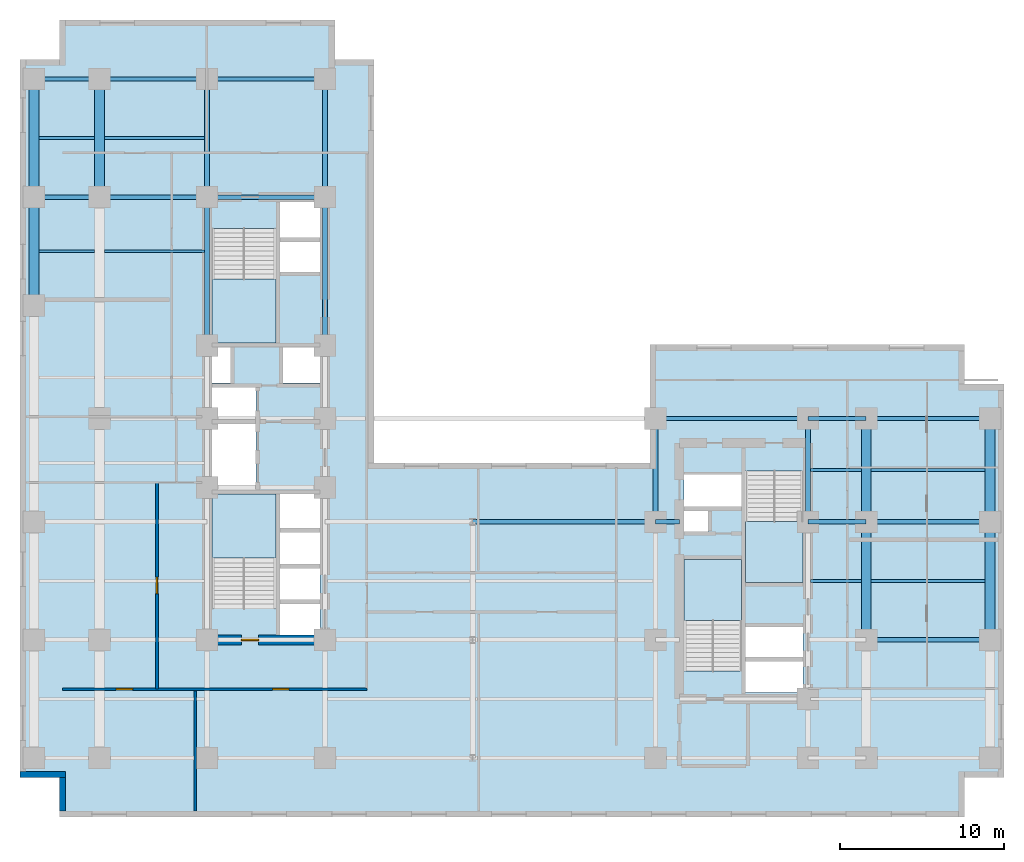
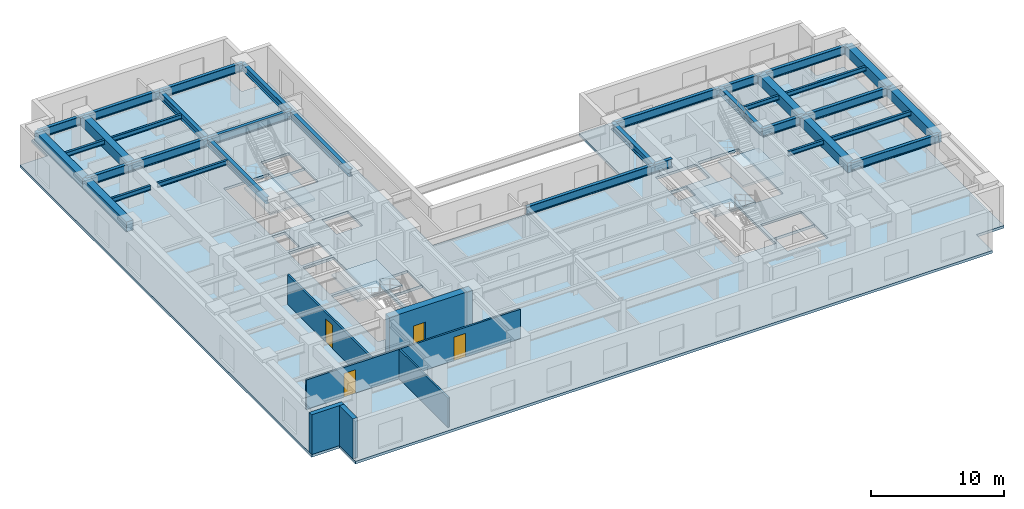
# One storey, part 2 of 9: 35 beams, 6 walls, 5 slabs, 4 doors, 4 openings, 4 elements without a shape of their own.
"""IFC4 building model written with IfcOpenShell, lengths in metres."""

from ifc_helpers import new_model, entity, si_unit, converted_unit, direction, frame, origin_with_axes, origin_2d_with_axis, place, context, subcontext, project, spatial, polyline, rectangle, i_section, outline, extrude, material, layer, layer_set, material_profile, profile_set, type_object, element, fill, aggregate, save


model = new_model("IFC4")

# Units and contexts
model_context = context("Model", 3, precision=1e-05, world=origin_with_axes(), true_north=direction((0.0, 1.0)))
body_context = subcontext(model_context, "Body", "Model", "MODEL_VIEW")
ifc_project = project(units=[si_unit("LENGTHUNIT", "METRE"), si_unit("AREAUNIT", "SQUARE_METRE"), si_unit("VOLUMEUNIT", "CUBIC_METRE"), converted_unit("PLANEANGLEUNIT", "DEGREE", entity("IfcPlaneAngleMeasure", 0.017453292519943295), si_unit("PLANEANGLEUNIT", "RADIAN"), dimensions=[0, 0, 0, 0, 0, 0, 0]), si_unit("MASSUNIT", "GRAM", prefix="KILO"), si_unit("THERMODYNAMICTEMPERATUREUNIT", "KELVIN")], contexts=[model_context])

# Site, building, storey
site_placement = place(None, origin_with_axes())
site = spatial("IfcSite", under=ifc_project, at=site_placement, CompositionType="ELEMENT")
building_placement = place(site_placement, origin_with_axes())
building = spatial("IfcBuilding", under=site, at=building_placement, Name="Varnlund Millrace Tower", CompositionType="ELEMENT")
storey_placement = place(building_placement, frame((0.0, 0.0, 36.6), z_axis=(0.0, 0.0, 1.0), x_axis=(1.0, 0.0, 0.0)))
storey = spatial("IfcBuildingStorey", under=building, at=storey_placement, Name="L08", CompositionType="ELEMENT", Elevation=36.6)

# Beams
ifc_material_1 = material(Name="Steel ASTM A992 Grade 50", Category="steel")
ifc_material_profile_1 = material_profile(ifc_material_1, i_section(OverallWidth=0.328, OverallDepth=0.628, WebThickness=0.0165, FlangeThickness=0.0277, FilletRadius=0.018, at=origin_2d_with_axis()), Name="Steel ASTM A992 Grade 50")
ifc_profile_set_1 = profile_set([ifc_material_profile_1], Name="Steel ASTM A992 Grade 50")
beam_type_1 = type_object("IfcBeamType", Name="Type-Girder-W24X146", PredefinedType="USERDEFINED", material=ifc_profile_set_1)
beam_1_placement = place(storey_placement, frame((11.4, 28.75, 3.346), z_axis=(0.0, 1.0, 0.0), x_axis=(-1.0, 0.0, 0.0)))
element("IfcBeam", 1, at=beam_1_placement, inside=storey, type_object=beam_type_1, Name="Type-Girder-W24X146", ObjectType="GIRDER", PredefinedType="USERDEFINED", context=body_context, shape_type="SweptSolid", body=[
    extrude(i_section(OverallWidth=0.328, OverallDepth=0.628, WebThickness=0.0165, FlangeThickness=0.0277, FilletRadius=0.018, at=origin_2d_with_axis()), origin_with_axes(), (0.0, 0.0, 1.0), 9.05),
])
beam_2_placement = place(storey_placement, frame((11.4, 37.8, 3.346), z_axis=(0.0, 1.0, 0.0), x_axis=(-1.0, 0.0, 0.0)))
element("IfcBeam", 2, at=beam_2_placement, inside=storey, type_object=beam_type_1, Name="Type-Girder-W24X146", ObjectType="GIRDER", PredefinedType="USERDEFINED", context=body_context, shape_type="SweptSolid", body=[
    extrude(i_section(OverallWidth=0.328, OverallDepth=0.628, WebThickness=0.0165, FlangeThickness=0.0277, FilletRadius=0.018, at=origin_2d_with_axis()), origin_with_axes(), (0.0, 0.0, 1.0), 7.2),
])
beam_3_placement = place(storey_placement, frame((18.6, 28.75, 3.346), z_axis=(0.0, 1.0, 0.0), x_axis=(-1.0, 0.0, 0.0)))
element("IfcBeam", 3, at=beam_3_placement, inside=storey, type_object=beam_type_1, Name="Type-Girder-W24X146", ObjectType="GIRDER", PredefinedType="USERDEFINED", context=body_context, shape_type="SweptSolid", body=[
    extrude(i_section(OverallWidth=0.328, OverallDepth=0.628, WebThickness=0.0165, FlangeThickness=0.0277, FilletRadius=0.018, at=origin_2d_with_axis()), origin_with_axes(), (0.0, 0.0, 1.0), 9.05),
])
beam_4_placement = place(storey_placement, frame((18.6, 37.8, 3.346), z_axis=(0.0, 1.0, 0.0), x_axis=(-1.0, 0.0, 0.0)))
element("IfcBeam", 4, at=beam_4_placement, inside=storey, type_object=beam_type_1, Name="Type-Girder-W24X146", ObjectType="GIRDER", PredefinedType="USERDEFINED", context=body_context, shape_type="SweptSolid", body=[
    extrude(i_section(OverallWidth=0.328, OverallDepth=0.628, WebThickness=0.0165, FlangeThickness=0.0277, FilletRadius=0.018, at=origin_2d_with_axis()), origin_with_axes(), (0.0, 0.0, 1.0), 7.2),
])
for number, where, z_axis, x_axis, name in (
    (5, (38.75, 18.0, 3.346), (0.0, 1.0, 0.0), (-1.0, 0.0, 0.0), "Type-Girder-W24X146"),
    (6, (48.05, 18.0, 3.346), (0.0, 1.0, 0.0), (-1.0, 0.0, 0.0), "Type-Girder-W24X146"),
):
    element("IfcBeam", number, at=place(storey_placement, frame(where, z_axis=z_axis, x_axis=x_axis)), inside=storey, type_object=beam_type_1, Name=name, ObjectType="GIRDER", PredefinedType="USERDEFINED", context=body_context, shape_type="SweptSolid", body=[
        extrude(i_section(OverallWidth=0.328, OverallDepth=0.628, WebThickness=0.0165, FlangeThickness=0.0277, FilletRadius=0.018, at=origin_2d_with_axis()), origin_with_axes(), (0.0, 0.0, 1.0), 6.3),
    ])
ifc_material_profile_2 = material_profile(ifc_material_1, i_section(OverallWidth=0.266, OverallDepth=0.779, WebThickness=0.0165, FlangeThickness=0.03, FilletRadius=0.02, at=origin_2d_with_axis()), Name="Steel ASTM A992 Grade 50")
ifc_profile_set_2 = profile_set([ifc_material_profile_2], Name="Steel ASTM A992 Grade 50")
beam_type_2 = type_object("IfcBeamType", Name="Type-Girder-W30X148", PredefinedType="USERDEFINED", material=ifc_profile_set_2)
beam_5_placement = place(storey_placement, frame((51.6, 10.8, 3.2705), z_axis=(1.0, 0.0, 0.0), x_axis=(0.0, 1.0, 0.0)))
element("IfcBeam", 7, at=beam_5_placement, inside=storey, type_object=beam_type_2, Name="Type-Girder-W30X148", ObjectType="GIRDER", PredefinedType="USERDEFINED", context=body_context, shape_type="SweptSolid", body=[
    extrude(i_section(OverallWidth=0.266, OverallDepth=0.779, WebThickness=0.0165, FlangeThickness=0.03, FilletRadius=0.02, at=origin_2d_with_axis()), origin_with_axes(), (0.0, 0.0, 1.0), 7.55),
])
beam_6_placement = place(storey_placement, frame((27.6, 18.0, 3.2705), z_axis=(1.0, 0.0, 0.0), x_axis=(0.0, 1.0, 0.0)))
element("IfcBeam", 8, at=beam_6_placement, inside=storey, type_object=beam_type_2, Name="Type-Girder-W30X148", ObjectType="GIRDER", PredefinedType="USERDEFINED", context=body_context, shape_type="SweptSolid", body=[
    extrude(i_section(OverallWidth=0.266, OverallDepth=0.779, WebThickness=0.0165, FlangeThickness=0.03, FilletRadius=0.02, at=origin_2d_with_axis()), origin_with_axes(), (0.0, 0.0, 1.0), 11.15),
])
beam_7_placement = place(storey_placement, frame((38.75, 18.0, 3.2705), z_axis=(1.0, 0.0, 0.0), x_axis=(0.0, 1.0, 0.0)))
element("IfcBeam", 9, at=beam_7_placement, inside=storey, type_object=beam_type_2, Name="Type-Girder-W30X148", ObjectType="GIRDER", PredefinedType="USERDEFINED", context=body_context, shape_type="SweptSolid", body=[
    extrude(i_section(OverallWidth=0.266, OverallDepth=0.779, WebThickness=0.0165, FlangeThickness=0.03, FilletRadius=0.02, at=origin_2d_with_axis()), origin_with_axes(), (0.0, 0.0, 1.0), 1.45),
])
beam_8_placement = place(storey_placement, frame((48.05, 18.0, 3.2705), z_axis=(1.0, 0.0, 0.0), x_axis=(0.0, 1.0, 0.0)))
element("IfcBeam", 10, at=beam_8_placement, inside=storey, type_object=beam_type_2, Name="Type-Girder-W30X148", ObjectType="GIRDER", PredefinedType="USERDEFINED", context=body_context, shape_type="SweptSolid", body=[
    extrude(i_section(OverallWidth=0.266, OverallDepth=0.779, WebThickness=0.0165, FlangeThickness=0.03, FilletRadius=0.02, at=origin_2d_with_axis()), origin_with_axes(), (0.0, 0.0, 1.0), 3.55),
])
beam_9_placement = place(storey_placement, frame((51.6, 18.0, 3.2705), z_axis=(1.0, 0.0, 0.0), x_axis=(0.0, 1.0, 0.0)))
element("IfcBeam", 11, at=beam_9_placement, inside=storey, type_object=beam_type_2, Name="Type-Girder-W30X148", ObjectType="GIRDER", PredefinedType="USERDEFINED", context=body_context, shape_type="SweptSolid", body=[
    extrude(i_section(OverallWidth=0.266, OverallDepth=0.779, WebThickness=0.0165, FlangeThickness=0.03, FilletRadius=0.02, at=origin_2d_with_axis()), origin_with_axes(), (0.0, 0.0, 1.0), 7.55),
])
beam_10_placement = place(storey_placement, frame((38.75, 24.3, 3.2705), z_axis=(1.0, 0.0, 0.0), x_axis=(0.0, 1.0, 0.0)))
element("IfcBeam", 12, at=beam_10_placement, inside=storey, type_object=beam_type_2, Name="Type-Girder-W30X148", ObjectType="GIRDER", PredefinedType="USERDEFINED", context=body_context, shape_type="SweptSolid", body=[
    extrude(i_section(OverallWidth=0.266, OverallDepth=0.779, WebThickness=0.0165, FlangeThickness=0.03, FilletRadius=0.02, at=origin_2d_with_axis()), origin_with_axes(), (0.0, 0.0, 1.0), 9.3),
])
beam_11_placement = place(storey_placement, frame((48.05, 24.3, 3.2705), z_axis=(1.0, 0.0, 0.0), x_axis=(0.0, 1.0, 0.0)))
element("IfcBeam", 13, at=beam_11_placement, inside=storey, type_object=beam_type_2, Name="Type-Girder-W30X148", ObjectType="GIRDER", PredefinedType="USERDEFINED", context=body_context, shape_type="SweptSolid", body=[
    extrude(i_section(OverallWidth=0.266, OverallDepth=0.779, WebThickness=0.0165, FlangeThickness=0.03, FilletRadius=0.02, at=origin_2d_with_axis()), origin_with_axes(), (0.0, 0.0, 1.0), 3.55),
])
beam_12_placement = place(storey_placement, frame((51.6, 24.3, 3.2705), z_axis=(1.0, 0.0, 0.0), x_axis=(0.0, 1.0, 0.0)))
element("IfcBeam", 14, at=beam_12_placement, inside=storey, type_object=beam_type_2, Name="Type-Girder-W30X148", ObjectType="GIRDER", PredefinedType="USERDEFINED", context=body_context, shape_type="SweptSolid", body=[
    extrude(i_section(OverallWidth=0.266, OverallDepth=0.779, WebThickness=0.0165, FlangeThickness=0.03, FilletRadius=0.02, at=origin_2d_with_axis()), origin_with_axes(), (0.0, 0.0, 1.0), 7.55),
])
beam_13_placement = place(storey_placement, frame((0.85, 37.8, 3.2705), z_axis=(1.0, 0.0, 0.0), x_axis=(0.0, 1.0, 0.0)))
element("IfcBeam", 15, at=beam_13_placement, inside=storey, type_object=beam_type_2, Name="Type-Girder-W30X148", ObjectType="GIRDER", PredefinedType="USERDEFINED", context=body_context, shape_type="SweptSolid", body=[
    extrude(i_section(OverallWidth=0.266, OverallDepth=0.779, WebThickness=0.0165, FlangeThickness=0.03, FilletRadius=0.02, at=origin_2d_with_axis()), origin_with_axes(), (0.0, 0.0, 1.0), 4.0),
])
beam_14_placement = place(storey_placement, frame((4.85, 37.8, 3.2705), z_axis=(1.0, 0.0, 0.0), x_axis=(0.0, 1.0, 0.0)))
element("IfcBeam", 16, at=beam_14_placement, inside=storey, type_object=beam_type_2, Name="Type-Girder-W30X148", ObjectType="GIRDER", PredefinedType="USERDEFINED", context=body_context, shape_type="SweptSolid", body=[
    extrude(i_section(OverallWidth=0.266, OverallDepth=0.779, WebThickness=0.0165, FlangeThickness=0.03, FilletRadius=0.02, at=origin_2d_with_axis()), origin_with_axes(), (0.0, 0.0, 1.0), 6.55),
])
beam_15_placement = place(storey_placement, frame((11.4, 37.8, 3.2705), z_axis=(1.0, 0.0, 0.0), x_axis=(0.0, 1.0, 0.0)))
element("IfcBeam", 17, at=beam_15_placement, inside=storey, type_object=beam_type_2, Name="Type-Girder-W30X148", ObjectType="GIRDER", PredefinedType="USERDEFINED", context=body_context, shape_type="SweptSolid", body=[
    extrude(i_section(OverallWidth=0.266, OverallDepth=0.779, WebThickness=0.0165, FlangeThickness=0.03, FilletRadius=0.02, at=origin_2d_with_axis()), origin_with_axes(), (0.0, 0.0, 1.0), 7.2),
])
beam_16_placement = place(storey_placement, frame((0.85, 45.0, 3.2705), z_axis=(1.0, 0.0, 0.0), x_axis=(0.0, 1.0, 0.0)))
element("IfcBeam", 18, at=beam_16_placement, inside=storey, type_object=beam_type_2, Name="Type-Girder-W30X148", ObjectType="GIRDER", PredefinedType="USERDEFINED", context=body_context, shape_type="SweptSolid", body=[
    extrude(i_section(OverallWidth=0.266, OverallDepth=0.779, WebThickness=0.0165, FlangeThickness=0.03, FilletRadius=0.02, at=origin_2d_with_axis()), origin_with_axes(), (0.0, 0.0, 1.0), 4.0),
])
beam_17_placement = place(storey_placement, frame((4.85, 45.0, 3.2705), z_axis=(1.0, 0.0, 0.0), x_axis=(0.0, 1.0, 0.0)))
element("IfcBeam", 19, at=beam_17_placement, inside=storey, type_object=beam_type_2, Name="Type-Girder-W30X148", ObjectType="GIRDER", PredefinedType="USERDEFINED", context=body_context, shape_type="SweptSolid", body=[
    extrude(i_section(OverallWidth=0.266, OverallDepth=0.779, WebThickness=0.0165, FlangeThickness=0.03, FilletRadius=0.02, at=origin_2d_with_axis()), origin_with_axes(), (0.0, 0.0, 1.0), 6.55),
])
beam_18_placement = place(storey_placement, frame((11.4, 45.0, 3.2705), z_axis=(1.0, 0.0, 0.0), x_axis=(0.0, 1.0, 0.0)))
element("IfcBeam", 20, at=beam_18_placement, inside=storey, type_object=beam_type_2, Name="Type-Girder-W30X148", ObjectType="GIRDER", PredefinedType="USERDEFINED", context=body_context, shape_type="SweptSolid", body=[
    extrude(i_section(OverallWidth=0.266, OverallDepth=0.779, WebThickness=0.0165, FlangeThickness=0.03, FilletRadius=0.02, at=origin_2d_with_axis()), origin_with_axes(), (0.0, 0.0, 1.0), 7.2),
])
ifc_material_profile_3 = material_profile(ifc_material_1, i_section(OverallWidth=0.181, OverallDepth=0.417, WebThickness=0.0109, FlangeThickness=0.0182, FilletRadius=0.013, at=origin_2d_with_axis()), Name="Steel ASTM A992 Grade 50")
ifc_profile_set_3 = profile_set([ifc_material_profile_3], Name="Steel ASTM A992 Grade 50")
beam_type_3 = type_object("IfcBeamType", Name="Type-Joist-W16X57", PredefinedType="JOIST", material=ifc_profile_set_3)
for number, where, z_axis, x_axis, name in (
    (21, (1.15, 34.5, 3.4515), (1.0, 0.0, 0.0), (0.0, 1.0, 0.0), "Type-Joist-W16X57"),
    (22, (1.15, 41.4, 3.4515), (1.0, 0.0, 0.0), (0.0, 1.0, 0.0), "Type-Joist-W16X57"),
):
    element("IfcBeam", number, at=place(storey_placement, frame(where, z_axis=z_axis, x_axis=x_axis)), inside=storey, type_object=beam_type_3, Name=name, PredefinedType="JOIST", context=body_context, shape_type="SweptSolid", body=[
        extrude(i_section(OverallWidth=0.181, OverallDepth=0.417, WebThickness=0.0109, FlangeThickness=0.0182, FilletRadius=0.013, at=origin_2d_with_axis()), origin_with_axes(), (0.0, 0.0, 1.0), 3.4),
    ])
for number, where, z_axis, x_axis, name in (
    (23, (5.15, 34.5, 3.4515), (1.0, 0.0, 0.0), (0.0, 1.0, 0.0), "Type-Joist-W16X57"),
    (24, (5.15, 41.4, 3.4515), (1.0, 0.0, 0.0), (0.0, 1.0, 0.0), "Type-Joist-W16X57"),
):
    element("IfcBeam", number, at=place(storey_placement, frame(where, z_axis=z_axis, x_axis=x_axis)), inside=storey, type_object=beam_type_3, Name=name, PredefinedType="JOIST", context=body_context, shape_type="SweptSolid", body=[
        extrude(i_section(OverallWidth=0.181, OverallDepth=0.417, WebThickness=0.0109, FlangeThickness=0.0182, FilletRadius=0.013, at=origin_2d_with_axis()), origin_with_axes(), (0.0, 0.0, 1.0), 6.086),
    ])
for number, where, z_axis, x_axis, name in (
    (25, (48.214, 14.4, 3.4515), (1.0, 0.0, 0.0), (0.0, 1.0, 0.0), "Type-Joist-W16X57"),
    (26, (48.214, 21.15, 3.4515), (1.0, 0.0, 0.0), (0.0, 1.0, 0.0), "Type-Joist-W16X57"),
):
    element("IfcBeam", number, at=place(storey_placement, frame(where, z_axis=z_axis, x_axis=x_axis)), inside=storey, type_object=beam_type_3, Name=name, PredefinedType="JOIST", context=body_context, shape_type="SweptSolid", body=[
        extrude(i_section(OverallWidth=0.181, OverallDepth=0.417, WebThickness=0.0109, FlangeThickness=0.0182, FilletRadius=0.013, at=origin_2d_with_axis()), origin_with_axes(), (0.0, 0.0, 1.0), 3.086),
    ])
for number, where, z_axis, x_axis, name in (
    (27, (51.9, 14.4, 3.4515), (1.0, 0.0, 0.0), (0.0, 1.0, 0.0), "Type-Joist-W16X57"),
    (28, (51.9, 21.15, 3.4515), (1.0, 0.0, 0.0), (0.0, 1.0, 0.0), "Type-Joist-W16X57"),
):
    element("IfcBeam", number, at=place(storey_placement, frame(where, z_axis=z_axis, x_axis=x_axis)), inside=storey, type_object=beam_type_3, Name=name, PredefinedType="JOIST", context=body_context, shape_type="SweptSolid", body=[
        extrude(i_section(OverallWidth=0.181, OverallDepth=0.417, WebThickness=0.0109, FlangeThickness=0.0182, FilletRadius=0.013, at=origin_2d_with_axis()), origin_with_axes(), (0.0, 0.0, 1.0), 6.95),
    ])
ifc_material_2 = material(Name="Concrete C70/85", Category="concrete")
ifc_material_profile_4 = material_profile(ifc_material_2, rectangle(XDim=0.6, YDim=0.9, at=origin_2d_with_axis()), Name="Concrete C70/85")
ifc_profile_set_4 = profile_set([ifc_material_profile_4], Name="Concrete C70/85")
beam_type_4 = type_object("IfcBeamType", Name="Type-Spandrel-RC600X900", PredefinedType="SPANDREL", material=ifc_profile_set_4)
beam_19_placement = place(storey_placement, frame((0.85, 31.2, 3.21), z_axis=(0.0, 1.0, 0.0), x_axis=(-1.0, 0.0, 0.0)))
element("IfcBeam", 29, at=beam_19_placement, inside=storey, type_object=beam_type_4, Name="Type-Spandrel-RC600X900", PredefinedType="SPANDREL", context=body_context, shape_type="SweptSolid", body=[
    extrude(rectangle(XDim=0.6, YDim=0.9, at=origin_2d_with_axis()), origin_with_axes(), (0.0, 0.0, 1.0), 6.6),
])
for number, where, z_axis, x_axis, name in (
    (30, (0.85, 37.8, 3.21), (0.0, 1.0, 0.0), (-1.0, 0.0, 0.0), "Type-Spandrel-RC600X900"),
    (31, (4.85, 37.8, 3.21), (0.0, 1.0, 0.0), (-1.0, 0.0, 0.0), "Type-Spandrel-RC600X900"),
    (32, (51.6, 10.8, 3.21), (0.0, 1.0, 0.0), (-1.0, 0.0, 0.0), "Type-Spandrel-RC600X900"),
):
    element("IfcBeam", number, at=place(storey_placement, frame(where, z_axis=z_axis, x_axis=x_axis)), inside=storey, type_object=beam_type_4, Name=name, PredefinedType="SPANDREL", context=body_context, shape_type="SweptSolid", body=[
        extrude(rectangle(XDim=0.6, YDim=0.9, at=origin_2d_with_axis()), origin_with_axes(), (0.0, 0.0, 1.0), 7.2),
    ])
beam_20_placement = place(storey_placement, frame((51.6, 18.0, 3.21), z_axis=(0.0, 1.0, 0.0), x_axis=(-1.0, 0.0, 0.0)))
element("IfcBeam", 33, at=beam_20_placement, inside=storey, type_object=beam_type_4, Name="Type-Spandrel-RC600X900", PredefinedType="SPANDREL", context=body_context, shape_type="SweptSolid", body=[
    extrude(rectangle(XDim=0.6, YDim=0.9, at=origin_2d_with_axis()), origin_with_axes(), (0.0, 0.0, 1.0), 6.3),
])
beam_21_placement = place(storey_placement, frame((59.15, 10.8, 3.21), z_axis=(0.0, 1.0, 0.0), x_axis=(-1.0, 0.0, 0.0)))
element("IfcBeam", 34, at=beam_21_placement, inside=storey, type_object=beam_type_4, Name="Type-Spandrel-RC600X900", PredefinedType="SPANDREL", context=body_context, shape_type="SweptSolid", body=[
    extrude(rectangle(XDim=0.6, YDim=0.9, at=origin_2d_with_axis()), origin_with_axes(), (0.0, 0.0, 1.0), 7.2),
])
beam_22_placement = place(storey_placement, frame((59.15, 18.0, 3.21), z_axis=(0.0, 1.0, 0.0), x_axis=(-1.0, 0.0, 0.0)))
element("IfcBeam", 35, at=beam_22_placement, inside=storey, type_object=beam_type_4, Name="Type-Spandrel-RC600X900", PredefinedType="SPANDREL", context=body_context, shape_type="SweptSolid", body=[
    extrude(rectangle(XDim=0.6, YDim=0.9, at=origin_2d_with_axis()), origin_with_axes(), (0.0, 0.0, 1.0), 6.3),
])

# Slab
ifc_material_3 = material(Name="Concrete C60/75", Category="concrete")
ifc_layer_1 = layer(ifc_material_3, 0.24, Name="Concrete C60/75")
ifc_layer_set_1 = layer_set([ifc_layer_1], Name="Concrete C60/75")
slab_type_1 = type_object("IfcSlabType", Name="Type-Deck-Plate-Typical-240", PredefinedType="FLOOR", material=ifc_layer_set_1)
slab_1_placement = place(storey_placement, frame((0.0, 0.0, -0.24), z_axis=(0.0, 0.0, 1.0), x_axis=(1.0, 0.0, 0.0)))
element("IfcSlab", 36, at=slab_1_placement, inside=storey, type_object=slab_type_1, Name="Type-Deck-Plate-Typical-240", PredefinedType="FLOOR", context=body_context, shape_type="SweptSolid", body=[
    extrude(outline(polyline([(21.6, 21.6), (21.6, 46.2), (19.2, 46.2), (19.2, 48.6), (2.4, 48.6), (2.4, 46.2), (0.0, 46.2), (0.0, 2.4), (2.4, 2.4), (2.4, 0.0), (57.6, 0.0), (57.6, 2.4), (60.0, 2.4), (60.0, 26.4), (57.6, 26.4), (57.6, 28.8), (38.4, 28.8), (38.4, 21.6), (21.6, 21.6)]), holes=[polyline([(18.3, 11.1), (15.84, 11.1), (15.84, 13.1), (18.3, 13.1), (18.3, 11.1)]), polyline([(18.3, 13.16), (15.84, 13.16), (15.84, 15.24), (18.3, 15.24), (18.3, 13.16)]), polyline([(15.6, 12.715), (11.7, 12.715), (11.7, 19.7), (15.6, 19.7), (15.6, 12.715)]), polyline([(18.3, 15.34), (15.84, 15.34), (15.84, 17.46), (18.3, 17.46), (18.3, 15.34)]), polyline([(18.3, 17.52), (15.84, 17.52), (15.84, 19.7), (18.3, 19.7), (18.3, 17.52)]), polyline([(14.38, 23.98), (14.38, 19.94), (11.7, 19.94), (11.7, 23.98), (14.38, 23.98)]), polyline([(11.7, 24.24), (11.7, 26.2), (14.38, 26.2), (14.38, 24.24), (11.7, 24.24)]), polyline([(11.7, 26.46), (11.7, 28.65), (12.84, 28.65), (12.84, 26.46), (11.7, 26.46)]), polyline([(15.6, 28.9), (11.7, 28.9), (11.7, 35.885), (15.6, 35.885), (15.6, 28.9)]), polyline([(47.75, 7.6), (44.25, 7.6), (44.25, 9.6), (47.75, 9.6), (47.75, 7.6)]), polyline([(47.75, 9.66), (44.25, 9.66), (44.25, 11.68), (47.75, 11.68), (47.75, 9.66)]), polyline([(40.5, 8.915), (40.5, 15.7), (44.0, 15.7), (44.0, 8.915), (40.5, 8.915)]), polyline([(44.25, 14.3), (44.25, 21.085), (47.75, 21.085), (47.75, 14.3), (44.25, 14.3)]), polyline([(41.95, 17.42), (40.5, 17.42), (40.5, 18.72), (41.95, 18.72), (41.95, 17.42)]), polyline([(44.0, 18.88), (40.5, 18.88), (40.5, 20.94), (44.0, 20.94), (44.0, 18.88)]), polyline([(18.3, 26.46), (16.04, 26.46), (16.04, 28.65), (18.3, 28.65), (18.3, 26.46)]), polyline([(15.84, 33.12), (15.84, 35.18), (18.3, 35.18), (18.3, 33.12), (15.84, 33.12)]), polyline([(15.84, 35.22), (15.84, 37.5), (18.3, 37.5), (18.3, 35.22), (15.84, 35.22)])]), origin_with_axes(), (0.0, 0.0, 1.0), 0.24),
])

# Stair, slab
ifc_material_4 = material(Name="Concrete C50/60", Category="concrete")
stair_type_1 = type_object("IfcStairType", Name="Type-Stair-Dogleg-185-390", PredefinedType="HALF_TURN_STAIR", material=ifc_material_4)
stair_1_placement = place(storey_placement, origin_with_axes())
stair_1 = element("IfcStair", 37, at=stair_1_placement, inside=storey, type_object=stair_type_1, Name="Type-Stair-Dogleg-185-390", PredefinedType="HALF_TURN_STAIR")
ifc_layer_2 = layer(ifc_material_4, 0.2, Name="Concrete C50/60")
ifc_layer_set_2 = layer_set([ifc_layer_2], Name="Concrete C50/60")
slab_type_2 = type_object("IfcSlabType", Name="Type-StairLanding-200", PredefinedType="LANDING", material=ifc_layer_set_2)
slab_2_placement = place(storey_placement, frame((0.0, 0.0, 1.75), z_axis=(0.0, 0.0, 1.0), x_axis=(1.0, 0.0, 0.0)))
slab_2 = element("IfcSlab", 38, at=slab_2_placement, type_object=slab_type_2, Name="ST-A1 landing 1", PredefinedType="LANDING", context=body_context, shape_type="SweptSolid", body=[
    extrude(outline(polyline([(15.6, 15.78), (15.6, 19.7), (11.7, 19.7), (11.7, 15.78), (15.6, 15.78)])), origin_with_axes(), (0.0, 0.0, 1.0), 0.2),
])
aggregate(stair_1, [slab_2])

stair_2_placement = place(storey_placement, origin_with_axes())
stair_2 = element("IfcStair", 39, at=stair_2_placement, inside=storey, type_object=stair_type_1, Name="Type-Stair-Dogleg-185-390", PredefinedType="HALF_TURN_STAIR")
slab_3_placement = place(storey_placement, frame((0.0, 0.0, 1.75), z_axis=(0.0, 0.0, 1.0), x_axis=(1.0, 0.0, 0.0)))
slab_3 = element("IfcSlab", 40, at=slab_3_placement, type_object=slab_type_2, Name="ST-A2 landing 1", PredefinedType="LANDING", context=body_context, shape_type="SweptSolid", body=[
    extrude(outline(polyline([(11.7, 32.82), (11.7, 28.9), (15.6, 28.9), (15.6, 32.82), (11.7, 32.82)])), origin_with_axes(), (0.0, 0.0, 1.0), 0.2),
])
aggregate(stair_2, [slab_3])

stair_type_2 = type_object("IfcStairType", Name="Type-Stair-Dogleg-165-390", PredefinedType="HALF_TURN_STAIR", material=ifc_material_4)
stair_3_placement = place(storey_placement, origin_with_axes())
stair_3 = element("IfcStair", 41, at=stair_3_placement, inside=storey, type_object=stair_type_2, Name="Type-Stair-Dogleg-165-390", PredefinedType="HALF_TURN_STAIR")
slab_4_placement = place(storey_placement, frame((0.0, 0.0, 1.75), z_axis=(0.0, 0.0, 1.0), x_axis=(1.0, 0.0, 0.0)))
slab_4 = element("IfcSlab", 42, at=slab_4_placement, type_object=slab_type_2, Name="ST-B1 landing 1", PredefinedType="LANDING", context=body_context, shape_type="SweptSolid", body=[
    extrude(outline(polyline([(44.0, 11.98), (44.0, 15.7), (40.5, 15.7), (40.5, 11.98), (44.0, 11.98)])), origin_with_axes(), (0.0, 0.0, 1.0), 0.2),
])
aggregate(stair_3, [slab_4])

stair_4_placement = place(storey_placement, origin_with_axes())
stair_4 = element("IfcStair", 43, at=stair_4_placement, inside=storey, type_object=stair_type_2, Name="Type-Stair-Dogleg-165-390", PredefinedType="HALF_TURN_STAIR")
slab_5_placement = place(storey_placement, frame((0.0, 0.0, 1.75), z_axis=(0.0, 0.0, 1.0), x_axis=(1.0, 0.0, 0.0)))
slab_5 = element("IfcSlab", 44, at=slab_5_placement, type_object=slab_type_2, Name="ST-B2 landing 1", PredefinedType="LANDING", context=body_context, shape_type="SweptSolid", body=[
    extrude(outline(polyline([(44.25, 18.02), (44.25, 14.3), (47.75, 14.3), (47.75, 18.02), (44.25, 18.02)])), origin_with_axes(), (0.0, 0.0, 1.0), 0.2),
])
aggregate(stair_4, [slab_5])

# Wall, opening, door
ifc_material_5 = material(Name="Concrete C80/95", Category="concrete")
ifc_layer_3 = layer(ifc_material_5, 0.6, Name="Concrete C80/95")
ifc_layer_set_3 = layer_set([ifc_layer_3], Name="Concrete C80/95")
wall_type_1 = type_object("IfcWallType", Name="Type-CoreWall-Shear-600-C80", PredefinedType="SHEAR", material=ifc_layer_set_3)
wall_1_placement = place(storey_placement, frame((11.4, 10.8, 0.0), z_axis=(0.0, 0.0, 1.0), x_axis=(1.0, 0.0, 0.0)))
wall_1 = element("IfcWall", 45, at=wall_1_placement, inside=storey, type_object=wall_type_1, Name="Type-CoreWall-Shear-600-C80", PredefinedType="SHEAR", context=body_context, shape_type="SweptSolid", body=[
    extrude(outline(polyline([(0.0, -0.3), (7.2, -0.3), (7.2, 0.3), (0.0, 0.3), (0.0, -0.3)])), origin_with_axes(), (0.0, 0.0, 1.0), 3.66),
])
opening_1_placement = place(wall_1_placement, frame((2.625, 0.0, 0.0), z_axis=(0.0, 0.0, 1.0), x_axis=(1.0, 0.0, 0.0)))
opening_1 = element("IfcOpeningElement", 46, at=opening_1_placement, cuts=wall_1, Name="Opening L08:DR-STA1", PredefinedType="OPENING", context=body_context, shape_type="SweptSolid", body=[
    extrude(rectangle(XDim=1.05, YDim=0.62, at=origin_2d_with_axis()), origin_with_axes(), (0.0, 0.0, 1.0), 2.15),
])
ifc_material_6 = material(Name="Fire-rated hollow steel door", Category="steel")
door_type_1 = type_object("IfcDoorType", Name="Type-FireDoor-Stair-1050X2150", OperationType="NOTDEFINED", PredefinedType="DOOR", material=ifc_material_6)
door_1_placement = place(wall_1_placement, frame((2.625, 0.0, 0.0), z_axis=(0.0, 0.0, 1.0), x_axis=(1.0, 0.0, 0.0)))
door_1 = element("IfcDoor", 47, at=door_1_placement, inside=storey, type_object=door_type_1, Name="Type-FireDoor-Stair-1050X2150", OperationType="SINGLE_SWING_LEFT", OverallHeight=2.15, OverallWidth=1.05, PredefinedType="DOOR", context=body_context, shape_type="SweptSolid", body=[
    extrude(rectangle(XDim=1.05, YDim=0.09, at=origin_2d_with_axis()), origin_with_axes(), (0.0, 0.0, 1.0), 2.15),
])
fill(opening_1, door_1)

# Walls
ifc_material_7 = material(Name="Precast concrete C50/60", Category="concrete")
ifc_layer_4 = layer(ifc_material_7, 0.38, Name="Precast concrete C50/60")
ifc_layer_set_4 = layer_set([ifc_layer_4], Name="Precast concrete C50/60")
wall_type_2 = type_object("IfcWallType", Name="Type-ExtWall-Precast-Tube-380", PredefinedType="SOLIDWALL", material=ifc_layer_set_4)
wall_2_placement = place(storey_placement, frame((2.59, 0.38, 0.0), z_axis=(0.0, 0.0, 1.0), x_axis=(0.0, 1.0, 0.0)))
element("IfcWall", 48, at=wall_2_placement, inside=storey, type_object=wall_type_2, Name="Type-ExtWall-Precast-Tube-380", PredefinedType="SOLIDWALL", context=body_context, shape_type="SweptSolid", body=[
    extrude(outline(polyline([(0.0, -0.19), (2.02, -0.19), (2.02, 0.19), (0.0, 0.19), (0.0, -0.19)])), origin_with_axes(), (0.0, 0.0, 1.0), 3.66),
])
wall_3_placement = place(storey_placement, frame((2.78, 2.59, 0.0), z_axis=(0.0, 0.0, 1.0), x_axis=(-1.0, 0.0, 0.0)))
element("IfcWall", 49, at=wall_3_placement, inside=storey, type_object=wall_type_2, Name="Type-ExtWall-Precast-Tube-380", PredefinedType="SOLIDWALL", context=body_context, shape_type="SweptSolid", body=[
    extrude(outline(polyline([(0.0, -0.19), (2.78, -0.19), (2.78, 0.19), (0.0, 0.19), (0.0, -0.19)])), origin_with_axes(), (0.0, 0.0, 1.0), 3.66),
])

# Wall, openings, doors
ifc_material_8 = material(Name="Fire-rated gypsum board on cold-formed steel framing", Category="steel")
ifc_layer_5 = layer(ifc_material_8, 0.16, Name="Fire-rated gypsum board on cold-formed steel framing")
ifc_layer_set_5 = layer_set([ifc_layer_5], Name="Fire-rated gypsum board on cold-formed steel framing")
wall_type_3 = type_object("IfcWallType", Name="Type-Partition-Corridor-160", PredefinedType="PARTITIONING", material=ifc_layer_set_5)
wall_4_placement = place(storey_placement, frame((2.6, 7.8, 0.0), z_axis=(0.0, 0.0, 1.0), x_axis=(1.0, 0.0, 0.0)))
wall_4 = element("IfcWall", 50, at=wall_4_placement, inside=storey, type_object=wall_type_3, Name="Type-Partition-Corridor-160", PredefinedType="PARTITIONING", context=body_context, shape_type="SweptSolid", body=[
    extrude(outline(polyline([(0.0, -0.08), (18.55, -0.08), (18.55, 0.08), (0.0, 0.08), (0.0, -0.08)])), origin_with_axes(), (0.0, 0.0, 1.0), 2.7),
])
opening_2_placement = place(wall_4_placement, frame((3.765, 0.0, 0.0), z_axis=(0.0, 0.0, 1.0), x_axis=(1.0, 0.0, 0.0)))
opening_2 = element("IfcOpeningElement", 51, at=opening_2_placement, cuts=wall_4, Name="Opening L08:DR-WAS-01", PredefinedType="OPENING", context=body_context, shape_type="SweptSolid", body=[
    extrude(rectangle(XDim=1.0, YDim=0.18, at=origin_2d_with_axis()), origin_with_axes(), (0.0, 0.0, 1.0), 2.15),
])
opening_3_placement = place(wall_4_placement, frame((13.3, 0.0, 0.0), z_axis=(0.0, 0.0, 1.0), x_axis=(1.0, 0.0, 0.0)))
opening_3 = element("IfcOpeningElement", 52, at=opening_3_placement, cuts=wall_4, Name="Opening L08:DR-WAS-02", PredefinedType="OPENING", context=body_context, shape_type="SweptSolid", body=[
    extrude(rectangle(XDim=1.0, YDim=0.18, at=origin_2d_with_axis()), origin_with_axes(), (0.0, 0.0, 1.0), 2.15),
])
ifc_material_9 = material(Name="Solid-core white oak and bronze frame door")
door_type_2 = type_object("IfcDoorType", Name="Type-IntDoor-Office-1000X2150", OperationType="NOTDEFINED", PredefinedType="DOOR", material=ifc_material_9)
door_2_placement = place(wall_4_placement, frame((3.765, 0.0, 0.0), z_axis=(0.0, 0.0, 1.0), x_axis=(1.0, 0.0, 0.0)))
door_2 = element("IfcDoor", 53, at=door_2_placement, inside=storey, type_object=door_type_2, Name="Type-IntDoor-Office-1000X2150", OperationType="SINGLE_SWING_LEFT", OverallHeight=2.15, OverallWidth=1.0, PredefinedType="DOOR", context=body_context, shape_type="SweptSolid", body=[
    extrude(rectangle(XDim=1.0, YDim=0.09, at=origin_2d_with_axis()), origin_with_axes(), (0.0, 0.0, 1.0), 2.15),
])
fill(opening_2, door_2)
door_3_placement = place(wall_4_placement, frame((13.3, 0.0, 0.0), z_axis=(0.0, 0.0, 1.0), x_axis=(1.0, 0.0, 0.0)))
door_3 = element("IfcDoor", 54, at=door_3_placement, inside=storey, type_object=door_type_2, Name="Type-IntDoor-Office-1000X2150", OperationType="SINGLE_SWING_RIGHT", OverallHeight=2.15, OverallWidth=1.0, PredefinedType="DOOR", context=body_context, shape_type="SweptSolid", body=[
    extrude(rectangle(XDim=1.0, YDim=0.09, at=origin_2d_with_axis()), origin_with_axes(), (0.0, 0.0, 1.0), 2.15),
])
fill(opening_3, door_3)

# Wall, opening, door
wall_5_placement = place(storey_placement, frame((8.35, 7.8, 0.0), z_axis=(0.0, 0.0, 1.0), x_axis=(0.0, 1.0, 0.0)))
wall_5 = element("IfcWall", 55, at=wall_5_placement, inside=storey, type_object=wall_type_3, Name="Type-Partition-Corridor-160", PredefinedType="PARTITIONING", context=body_context, shape_type="SweptSolid", body=[
    extrude(outline(polyline([(0.0, -0.08), (12.6, -0.08), (12.6, 0.08), (0.0, 0.08), (0.0, -0.08)])), origin_with_axes(), (0.0, 0.0, 1.0), 2.7),
])
opening_4_placement = place(wall_5_placement, frame((6.325, 0.0, 0.0), z_axis=(0.0, 0.0, 1.0), x_axis=(1.0, 0.0, 0.0)))
opening_4 = element("IfcOpeningElement", 56, at=opening_4_placement, cuts=wall_5, Name="Opening L08:DR-WS-01", PredefinedType="OPENING", context=body_context, shape_type="SweptSolid", body=[
    extrude(rectangle(XDim=1.0, YDim=0.18, at=origin_2d_with_axis()), origin_with_axes(), (0.0, 0.0, 1.0), 2.15),
])
door_4_placement = place(wall_5_placement, frame((6.325, 0.0, 0.0), z_axis=(0.0, 0.0, 1.0), x_axis=(1.0, 0.0, 0.0)))
door_4 = element("IfcDoor", 57, at=door_4_placement, inside=storey, type_object=door_type_2, Name="Type-IntDoor-Office-1000X2150", OperationType="SINGLE_SWING_LEFT", OverallHeight=2.15, OverallWidth=1.0, PredefinedType="DOOR", context=body_context, shape_type="SweptSolid", body=[
    extrude(rectangle(XDim=1.0, YDim=0.09, at=origin_2d_with_axis()), origin_with_axes(), (0.0, 0.0, 1.0), 2.15),
])
fill(opening_4, door_4)

# Wall
ifc_material_10 = material(Name="Acoustic STC-50 gypsum board partition", Category="gypsum")
ifc_layer_6 = layer(ifc_material_10, 0.15, Name="Acoustic STC-50 gypsum board partition")
ifc_layer_set_6 = layer_set([ifc_layer_6], Name="Acoustic STC-50 gypsum board partition")
wall_type_4 = type_object("IfcWallType", Name="Type-Partition-Demising-150", PredefinedType="PARTITIONING", material=ifc_layer_set_6)
wall_6_placement = place(storey_placement, frame((10.7, 0.36, 0.0), z_axis=(0.0, 0.0, 1.0), x_axis=(0.0, 1.0, 0.0)))
element("IfcWall", 58, at=wall_6_placement, inside=storey, type_object=wall_type_4, Name="Type-Partition-Demising-150", PredefinedType="PARTITIONING", context=body_context, shape_type="SweptSolid", body=[
    extrude(outline(polyline([(0.0, -0.075), (7.34, -0.075), (7.34, 0.075), (0.0, 0.075), (0.0, -0.075)])), origin_with_axes(), (0.0, 0.0, 1.0), 2.7),
])

save(model, "model.ifc")
